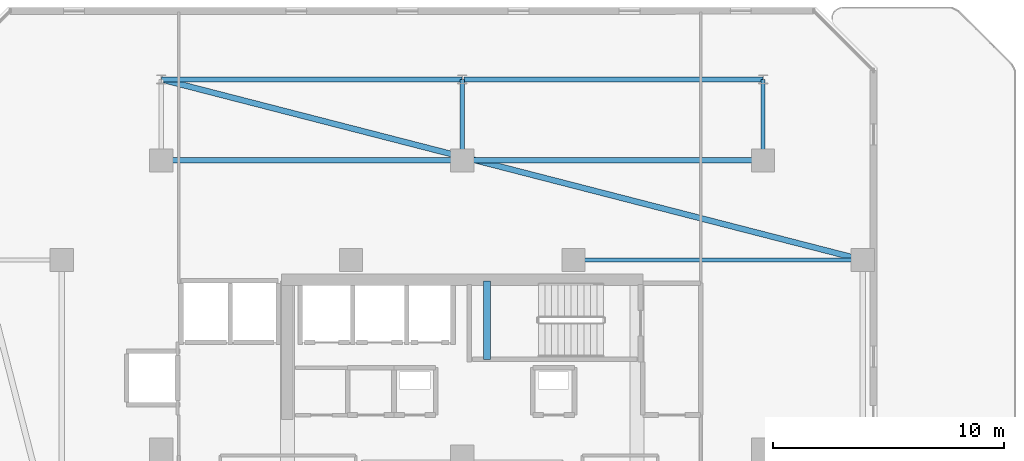
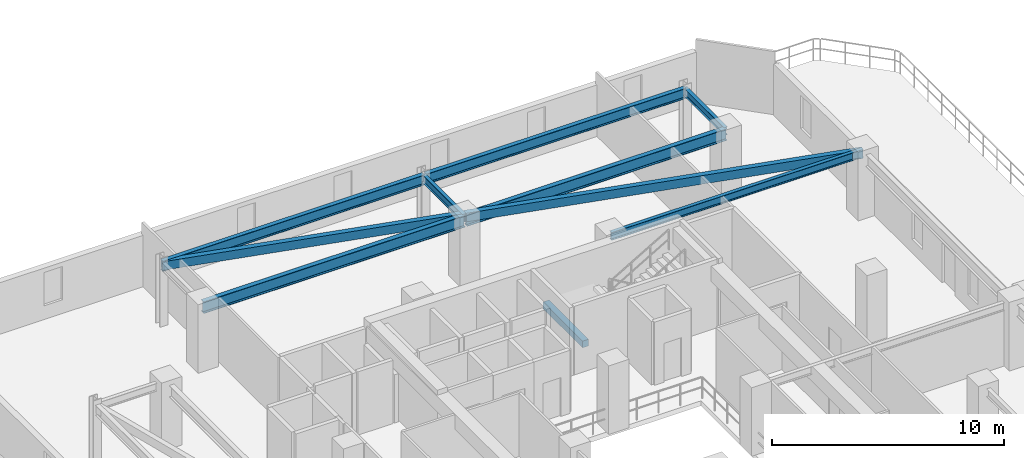
# One storey, part 9 of 32: 9 beams.
"""IFC4 building model written with IfcOpenShell, lengths in metres."""

from ifc_helpers import new_model, si_unit, direction, frame, origin, origin_2d, place, context, subcontext, project, spatial, rectangle, hollow_rectangle, i_section, extrude, material, material_profile, profile_set, type_object, element, save


model = new_model("IFC4")

# Units and contexts
model_context = context("Model", 3, precision=1e-05, world=origin(), true_north=direction((0.0, 1.0)))
body_context = subcontext(model_context, "Body", "Model", "MODEL_VIEW")
ifc_project = project(units=[si_unit("LENGTHUNIT", "METRE"), si_unit("AREAUNIT", "SQUARE_METRE"), si_unit("VOLUMEUNIT", "CUBIC_METRE"), si_unit("PLANEANGLEUNIT", "RADIAN"), si_unit("MASSUNIT", "GRAM", prefix="KILO")], contexts=[model_context])

# Site, building, storey
site_placement = place(None, origin())
site = spatial("IfcSite", under=ifc_project, at=site_placement, CompositionType="ELEMENT")
building_placement = place(site_placement, origin())
building = spatial("IfcBuilding", under=site, at=building_placement, Name="Thornwick Lancets Civic Towers", CompositionType="ELEMENT")
storey_placement = place(building_placement, frame((0.0, 0.0, 200.10009765625)))
storey = spatial("IfcBuildingStorey", under=building, at=storey_placement, Name="L53", CompositionType="ELEMENT", Elevation=200.10009765625)

# Beams
ifc_material_1 = material(Name="Steel S355JR", Category="steel")
ifc_material_profile_1 = material_profile(ifc_material_1, i_section(OverallWidth=0.210693359375, OverallDepth=0.53955078125, WebThickness=0.01171875, FlangeThickness=0.018798828125, FilletRadius=0.0126953125, at=origin_2d()), Name="UKB 533x210x109")
ifc_profile_set_1 = profile_set([ifc_material_profile_1], Name="Steel S355JR")
beam_type_1 = type_object("IfcBeamType", Name="BM_EDGE_533_109", PredefinedType="SPANDREL", material=ifc_profile_set_1)
beam_1_placement = place(storey_placement, frame((12.5, 47.800048828125, 3.0703125), z_axis=(1.0, 0.0, 0.0), x_axis=(0.0, 1.0, 0.0)))
element("IfcBeam", 1, at=beam_1_placement, inside=storey, type_object=beam_type_1, Name="BM-EDGE-L53-A-S2-1", PredefinedType="SPANDREL", context=body_context, shape_type="SweptSolid", body=[
    extrude(i_section(OverallWidth=0.210693359375, OverallDepth=0.53955078125, WebThickness=0.01171875, FlangeThickness=0.018798828125, FilletRadius=0.0126953125, at=origin_2d()), origin(), (0.0, 0.0, 1.0), 13.0),
])
beam_2_placement = place(storey_placement, frame((25.580078125, 47.800048828125, 3.0703125), z_axis=(1.0, 0.0, 0.0), x_axis=(0.0, 1.0, 0.0)))
element("IfcBeam", 2, at=beam_2_placement, inside=storey, type_object=beam_type_1, Name="BM-EDGE-L53-A-S2-2", PredefinedType="SPANDREL", context=body_context, shape_type="SweptSolid", body=[
    extrude(i_section(OverallWidth=0.210693359375, OverallDepth=0.53955078125, WebThickness=0.01171875, FlangeThickness=0.018798828125, FilletRadius=0.0126953125, at=origin_2d()), origin(), (0.0, 0.0, 1.0), 12.919921875),
])
ifc_material_profile_2 = material_profile(ifc_material_1, i_section(OverallWidth=0.230224609375, OverallDepth=0.6171875, WebThickness=0.01318359375, FlangeThickness=0.022216796875, FilletRadius=0.0126953125, at=origin_2d()), Name="UKB 610x229x140")
ifc_profile_set_2 = profile_set([ifc_material_profile_2], Name="Steel S355JR")
beam_type_2 = type_object("IfcBeamType", Name="BM_GIRD_610_140", PredefinedType="BEAM", material=ifc_profile_set_2)
beam_3_placement = place(storey_placement, frame((12.5, 44.300048828125, 3.03125), z_axis=(1.0, 0.0, 0.0), x_axis=(0.0, 1.0, 0.0)))
element("IfcBeam", 3, at=beam_3_placement, inside=storey, type_object=beam_type_2, Name="BM-SPINE-L53-A-6-7", PredefinedType="BEAM", context=body_context, shape_type="SweptSolid", body=[
    extrude(i_section(OverallWidth=0.230224609375, OverallDepth=0.6171875, WebThickness=0.01318359375, FlangeThickness=0.022216796875, FilletRadius=0.0126953125, at=origin_2d()), origin(), (0.0, 0.0, 1.0), 13.0),
])
beam_4_placement = place(storey_placement, frame((25.580078125, 44.300048828125, 3.03125), z_axis=(1.0, 0.0, 0.0), x_axis=(0.0, 1.0, 0.0)))
element("IfcBeam", 4, at=beam_4_placement, inside=storey, type_object=beam_type_2, Name="BM-SPINE-L53-A-7-8", PredefinedType="BEAM", context=body_context, shape_type="SweptSolid", body=[
    extrude(i_section(OverallWidth=0.230224609375, OverallDepth=0.6171875, WebThickness=0.01318359375, FlangeThickness=0.022216796875, FilletRadius=0.0126953125, at=origin_2d()), origin(), (0.0, 0.0, 1.0), 12.919921875),
])
ifc_material_profile_3 = material_profile(ifc_material_1, i_section(OverallWidth=0.179443359375, OverallDepth=0.412841796875, WebThickness=0.009521484375, FlangeThickness=0.01611328125, FilletRadius=0.01025390625, at=origin_2d()), Name="UKB 406x178x74")
ifc_profile_set_3 = profile_set([ifc_material_profile_3], Name="Steel S355JR")
beam_type_3 = type_object("IfcBeamType", Name="BM_JOIST_406_74", PredefinedType="JOIST", material=ifc_profile_set_3)
beam_5_placement = place(storey_placement, frame((30.300048828125, 40.0, 3.133544921875), z_axis=(1.0, 0.0, 0.0), x_axis=(0.0, 1.0, 0.0)))
element("IfcBeam", 5, at=beam_5_placement, inside=storey, type_object=beam_type_3, Name="BM-RADIN-L53-A06", PredefinedType="JOIST", context=body_context, shape_type="SweptSolid", body=[
    extrude(i_section(OverallWidth=0.179443359375, OverallDepth=0.412841796875, WebThickness=0.009521484375, FlangeThickness=0.01611328125, FilletRadius=0.01025390625, at=origin_2d()), origin(), (0.0, 0.0, 1.0), 12.5),
])
for number, where, z_axis, x_axis, name in (
    (6, (25.5, 44.300048828125, 3.133544921875), (0.0, 1.0, 0.0), (-1.0, 0.0, 0.0), "BM-RAD-L53-A08"),
    (7, (38.5, 44.300048828125, 3.133544921875), (0.0, 1.0, 0.0), (-1.0, 0.0, 0.0), "BM-RAD-L53-A09"),
):
    element("IfcBeam", number, at=place(storey_placement, frame(where, z_axis=z_axis, x_axis=x_axis)), inside=storey, type_object=beam_type_3, Name=name, PredefinedType="JOIST", context=body_context, shape_type="SweptSolid", body=[
        extrude(i_section(OverallWidth=0.179443359375, OverallDepth=0.412841796875, WebThickness=0.009521484375, FlangeThickness=0.01611328125, FilletRadius=0.01025390625, at=origin_2d()), origin(), (0.0, 0.0, 1.0), 3.5),
    ])
ifc_material_profile_4 = material_profile(ifc_material_1, hollow_rectangle(XDim=0.25, YDim=0.449951171875, WallThickness=0.01611328125, at=origin_2d()), Name="RHS 450x250x16")
ifc_profile_set_4 = profile_set([ifc_material_profile_4], Name="Steel S355JR")
beam_type_4 = type_object("IfcBeamType", Name="BM_RING_RHS450", PredefinedType="BEAM", material=ifc_profile_set_4)
beam_6_placement = place(storey_placement, frame((42.800048828125, 40.0, 3.114990234375), z_axis=(-0.96842654257, 0.249299080716, 0.0), x_axis=(-0.249299080716, -0.96842654257, 0.0)))
element("IfcBeam", 8, at=beam_6_placement, inside=storey, type_object=beam_type_4, Name="BM-CHAMF-L53-A-C1", PredefinedType="BEAM", context=body_context, shape_type="SweptSolid", body=[
    extrude(hollow_rectangle(XDim=0.25, YDim=0.449951171875, WallThickness=0.01611328125, at=origin_2d()), origin(), (0.0, 0.0, 1.0), 31.287841796875),
])
ifc_material_2 = material(Name="Concrete C40/50", Category="concrete")
ifc_material_profile_5 = material_profile(ifc_material_2, rectangle(XDim=0.300048828125, YDim=0.35009765625, at=origin_2d()), Name="RC 300x350")
ifc_profile_set_5 = profile_set([ifc_material_profile_5], Name="Concrete C40/50")
beam_type_5 = type_object("IfcBeamType", Name="BM_STAIR_LDG", PredefinedType="BEAM", material=ifc_profile_set_5)
beam_7_placement = place(storey_placement, frame((26.56494140625, 39.10009765625, 1.3779296875), z_axis=(0.0, -1.0, 0.0), x_axis=(1.0, 0.0, 0.0)))
element("IfcBeam", 9, at=beam_7_placement, inside=storey, type_object=beam_type_5, Name="L53 ST-A2 Landing Support Beam 1", PredefinedType="BEAM", context=body_context, shape_type="SweptSolid", body=[
    extrude(rectangle(XDim=0.300048828125, YDim=0.35009765625, at=origin_2d()), origin(), (0.0, 0.0, 1.0), 3.400146484375),
])

save(model, "model.ifc")
